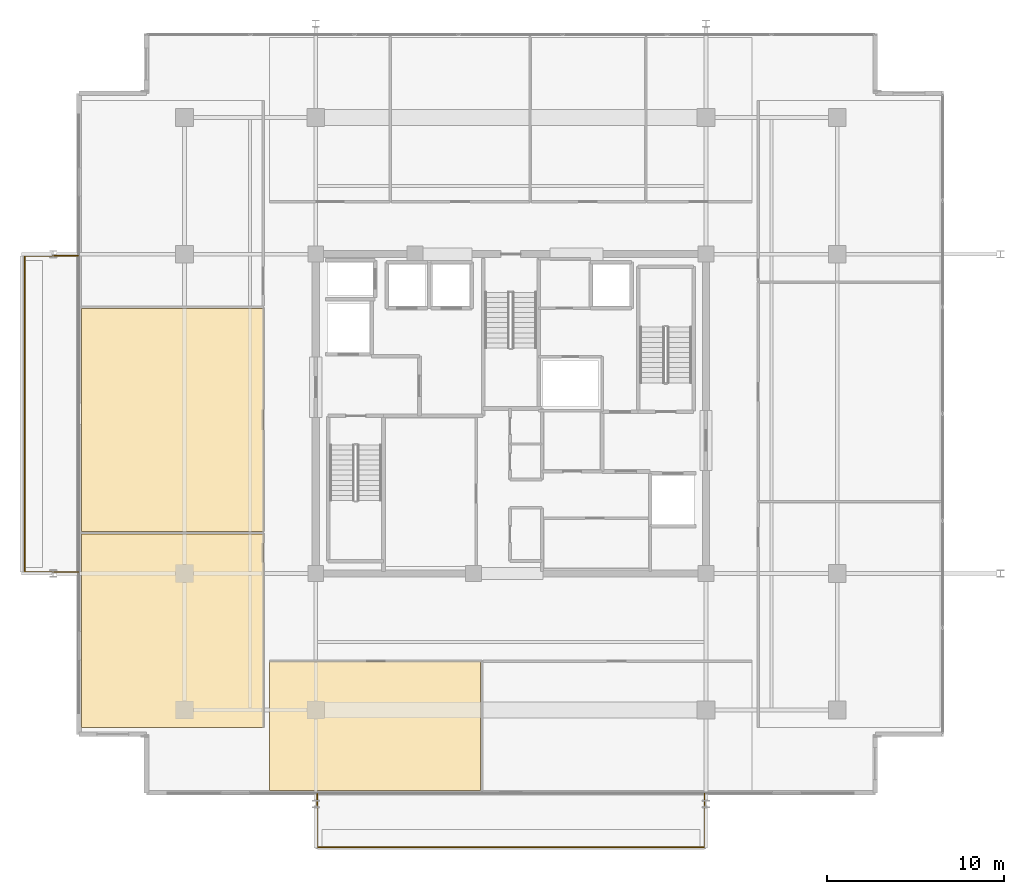
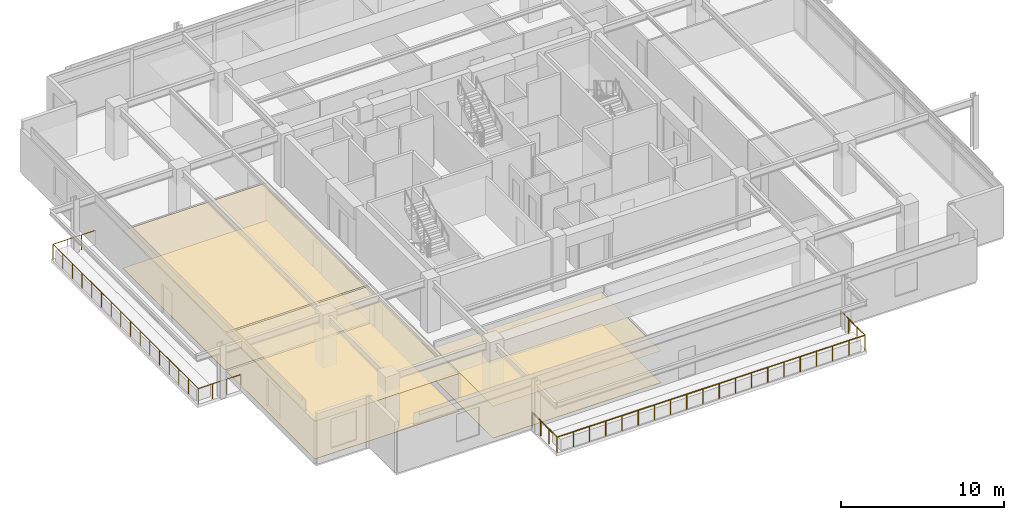
# One storey, part 18 of 21: 6 coverings, 2 railings.
"""IFC4 building model written with IfcOpenShell, lengths in metres."""

from ifc_helpers import new_model, si_unit, direction, frame, origin, origin_2d, place, context, subcontext, project, spatial, polyline, circle, outline, extrude, material, layer, layer_set, type_object, element, save


model = new_model("IFC4")

# Units and contexts
model_context = context("Model", 3, precision=1e-05, world=origin(), true_north=direction((0.0, 1.0)))
body_context = subcontext(model_context, "Body", "Model", "MODEL_VIEW")
ifc_project = project(units=[si_unit("LENGTHUNIT", "METRE"), si_unit("AREAUNIT", "SQUARE_METRE"), si_unit("VOLUMEUNIT", "CUBIC_METRE"), si_unit("PLANEANGLEUNIT", "RADIAN"), si_unit("MASSUNIT", "GRAM", prefix="KILO")], contexts=[model_context])

# Site, building, storey
site_placement = place(None, origin())
site = spatial("IfcSite", under=ifc_project, at=site_placement, CompositionType="ELEMENT")
building_placement = place(site_placement, origin())
building = spatial("IfcBuilding", under=site, at=building_placement, Name="Kovane Verandah Tower", CompositionType="ELEMENT")
storey_placement = place(building_placement, frame((0.0, 0.0, 310.800048828125)))
storey = spatial("IfcBuildingStorey", under=building, at=storey_placement, Name="L72", CompositionType="ELEMENT", Elevation=310.800048828125)

# Coverings
ifc_material_1 = material(Name="Perforated Acoustic Mineral-Fibre Ceiling Tile", Category="gypsum")
ifc_layer_1 = layer(ifc_material_1, 0.02490234375)
ifc_layer_set_1 = layer_set([ifc_layer_1], Name="Perforated Acoustic Mineral-Fibre Ceiling Tile")
covering_type_1 = type_object("IfcCoveringType", Name="CV-CEIL-25", PredefinedType="CEILING", material=ifc_layer_set_1)
covering_1_placement = place(storey_placement, frame((0.0, 0.0, 2.389892578125)))
element("IfcCovering", 1, at=covering_1_placement, inside=storey, type_object=covering_type_1, Name="L72 Collaboration Hub S1 Acoustic Ceiling", PredefinedType="CEILING", context=body_context, shape_type="SweptSolid", body=[
    extrude(outline(polyline([(26.39990234375, 6.27783203125), (38.298095703125, 6.27783203125), (38.298095703125, 13.550048828125), (26.39990234375, 13.550048828125), (26.39990234375, 6.27783203125)])), origin(), (0.0, 0.0, 1.0), 0.025146484375),
])
covering_2_placement = place(storey_placement, frame((0.0, 0.0, 2.824951171875)))
element("IfcCovering", 2, at=covering_2_placement, inside=storey, type_object=covering_type_1, Name="L72 Open Plan Office W1 Acoustic Ceiling", PredefinedType="CEILING", context=body_context, shape_type="SweptSolid", body=[
    extrude(outline(polyline([(15.8056640625, 9.827880859375), (26.050048828125, 9.827880859375), (26.050048828125, 20.714599609375), (15.8056640625, 20.714599609375), (15.8056640625, 9.827880859375)])), origin(), (0.0, 0.0, 1.0), 0.02490234375),
])
covering_3_placement = place(storey_placement, frame((0.0, 0.0, 2.824951171875)))
element("IfcCovering", 3, at=covering_3_placement, inside=storey, type_object=covering_type_1, Name="L72 Executive Office W2 Acoustic Ceiling", PredefinedType="CEILING", context=body_context, shape_type="SweptSolid", body=[
    extrude(outline(polyline([(15.8056640625, 20.8544921875), (26.050048828125, 20.8544921875), (26.050048828125, 33.4384765625), (15.8056640625, 33.4384765625), (15.8056640625, 20.8544921875)])), origin(), (0.0, 0.0, 1.0), 0.02490234375),
])
ifc_material_2 = material(Name="Polished Terrazzo and Raised-Access Carpet Tile Finish", Category="concrete")
ifc_layer_2 = layer(ifc_material_2, 0.030029296875)
ifc_layer_set_2 = layer_set([ifc_layer_2], Name="Polished Terrazzo and Raised-Access Carpet Tile Finish")
covering_type_2 = type_object("IfcCoveringType", Name="CV-FLOR-30", PredefinedType="FLOORING", material=ifc_layer_set_2)
covering_4_placement = place(storey_placement, origin())
element("IfcCovering", 4, at=covering_4_placement, inside=storey, type_object=covering_type_2, Name="L72 Collaboration Hub S1 Floor Finish", PredefinedType="FLOORING", context=body_context, shape_type="SweptSolid", body=[
    extrude(outline(polyline([(26.39990234375, 6.27783203125), (38.298095703125, 6.27783203125), (38.298095703125, 13.550048828125), (26.39990234375, 13.550048828125), (26.39990234375, 6.27783203125)])), origin(), (0.0, 0.0, 1.0), 0.030029296875),
])
covering_5_placement = place(storey_placement, origin())
element("IfcCovering", 5, at=covering_5_placement, inside=storey, type_object=covering_type_2, Name="L72 Open Plan Office W1 Floor Finish", PredefinedType="FLOORING", context=body_context, shape_type="SweptSolid", body=[
    extrude(outline(polyline([(15.8056640625, 9.827880859375), (26.050048828125, 9.827880859375), (26.050048828125, 20.714599609375), (15.8056640625, 20.714599609375), (15.8056640625, 9.827880859375)])), origin(), (0.0, 0.0, 1.0), 0.030029296875),
])
covering_6_placement = place(storey_placement, origin())
element("IfcCovering", 6, at=covering_6_placement, inside=storey, type_object=covering_type_2, Name="L72 Executive Office W2 Floor Finish", PredefinedType="FLOORING", context=body_context, shape_type="SweptSolid", body=[
    extrude(outline(polyline([(15.8056640625, 20.8544921875), (26.050048828125, 20.8544921875), (26.050048828125, 33.4384765625), (15.8056640625, 33.4384765625), (15.8056640625, 20.8544921875)])), origin(), (0.0, 0.0, 1.0), 0.030029296875),
])

# Railings
ifc_material_3 = material(Name="Laminated Glass and Pale-Champagne Stainless Balustrade", Category="glass")
railing_type = type_object("IfcRailingType", Name="RL-BAL-1150", PredefinedType="BALUSTRADE", material=ifc_material_3)
railing_1_placement = place(storey_placement, frame((29.080078125, 6.077880859375, 0.0)))
element("IfcRailing", 7, at=railing_1_placement, inside=storey, type_object=railing_type, Name="L72 S Verandah Glass Balustrade", PredefinedType="BALUSTRADE", context=body_context, shape_type="SweptSolid", body=[
    extrude(circle(Radius=0.02392578125, at=origin_2d()), frame((0.0, 0.0, 1.1259765625), z_axis=(0.0, -1.0, 0.0), x_axis=(1.0, 0.0, 0.0)), (0.0, 0.0, 1.0), 3.02001953125),
    extrude(circle(Radius=0.02392578125, at=origin_2d()), frame((0.0, -3.02001953125, 1.1259765625), z_axis=(1.0, 0.0, 0.0), x_axis=(0.0, 1.0, 0.0)), (0.0, 0.0, 1.0), 21.83984375),
    extrude(circle(Radius=0.02392578125, at=origin_2d()), frame((21.83984375, -3.02001953125, 1.1259765625), z_axis=(0.0, 1.0, 0.0), x_axis=(-1.0, 0.0, 0.0)), (0.0, 0.0, 1.0), 3.02001953125),
    extrude(circle(Radius=0.02099609375, at=origin_2d()), origin(), (0.0, 0.0, 1.0), 1.101806640625),
    extrude(circle(Radius=0.02099609375, at=origin_2d()), frame((0.0, -1.006591796875, 0.0)), (0.0, 0.0, 1.0), 1.101806640625),
    extrude(circle(Radius=0.02099609375, at=origin_2d()), frame((0.0, -2.013427734375, 0.0)), (0.0, 0.0, 1.0), 1.101806640625),
    extrude(circle(Radius=0.02099609375, at=origin_2d()), frame((0.0, -3.02001953125, 0.0)), (0.0, 0.0, 1.0), 1.101806640625),
    extrude(circle(Radius=0.02099609375, at=origin_2d()), frame((1.1494140625, -3.02001953125, 0.0)), (0.0, 0.0, 1.0), 1.101806640625),
    extrude(circle(Radius=0.02099609375, at=origin_2d()), frame((2.298828125, -3.02001953125, 0.0)), (0.0, 0.0, 1.0), 1.101806640625),
    extrude(circle(Radius=0.02099609375, at=origin_2d()), frame((3.448486328125, -3.02001953125, 0.0)), (0.0, 0.0, 1.0), 1.101806640625),
    extrude(circle(Radius=0.02099609375, at=origin_2d()), frame((4.597900390625, -3.02001953125, 0.0)), (0.0, 0.0, 1.0), 1.101806640625),
    extrude(circle(Radius=0.02099609375, at=origin_2d()), frame((5.747314453125, -3.02001953125, 0.0)), (0.0, 0.0, 1.0), 1.101806640625),
    extrude(circle(Radius=0.02099609375, at=origin_2d()), frame((6.896728515625, -3.02001953125, 0.0)), (0.0, 0.0, 1.0), 1.101806640625),
    extrude(circle(Radius=0.02099609375, at=origin_2d()), frame((8.046142578125, -3.02001953125, 0.0)), (0.0, 0.0, 1.0), 1.101806640625),
    extrude(circle(Radius=0.02099609375, at=origin_2d()), frame((9.19580078125, -3.02001953125, 0.0)), (0.0, 0.0, 1.0), 1.101806640625),
    extrude(circle(Radius=0.02099609375, at=origin_2d()), frame((10.34521484375, -3.02001953125, 0.0)), (0.0, 0.0, 1.0), 1.101806640625),
    extrude(circle(Radius=0.02099609375, at=origin_2d()), frame((11.49462890625, -3.02001953125, 0.0)), (0.0, 0.0, 1.0), 1.101806640625),
    extrude(circle(Radius=0.02099609375, at=origin_2d()), frame((12.64404296875, -3.02001953125, 0.0)), (0.0, 0.0, 1.0), 1.101806640625),
    extrude(circle(Radius=0.02099609375, at=origin_2d()), frame((13.793701171875, -3.02001953125, 0.0)), (0.0, 0.0, 1.0), 1.101806640625),
    extrude(circle(Radius=0.02099609375, at=origin_2d()), frame((14.943115234375, -3.02001953125, 0.0)), (0.0, 0.0, 1.0), 1.101806640625),
    extrude(circle(Radius=0.02099609375, at=origin_2d()), frame((16.092529296875, -3.02001953125, 0.0)), (0.0, 0.0, 1.0), 1.101806640625),
    extrude(circle(Radius=0.02099609375, at=origin_2d()), frame((17.241943359375, -3.02001953125, 0.0)), (0.0, 0.0, 1.0), 1.101806640625),
    extrude(circle(Radius=0.02099609375, at=origin_2d()), frame((18.391357421875, -3.02001953125, 0.0)), (0.0, 0.0, 1.0), 1.101806640625),
    extrude(circle(Radius=0.02099609375, at=origin_2d()), frame((19.541015625, -3.02001953125, 0.0)), (0.0, 0.0, 1.0), 1.101806640625),
    extrude(circle(Radius=0.02099609375, at=origin_2d()), frame((20.6904296875, -3.02001953125, 0.0)), (0.0, 0.0, 1.0), 1.101806640625),
    extrude(circle(Radius=0.02099609375, at=origin_2d()), frame((21.83984375, -3.02001953125, 0.0)), (0.0, 0.0, 1.0), 1.101806640625),
    extrude(circle(Radius=0.02099609375, at=origin_2d()), frame((21.83984375, -2.013427734375, 0.0)), (0.0, 0.0, 1.0), 1.101806640625),
    extrude(circle(Radius=0.02099609375, at=origin_2d()), frame((21.83984375, -1.006591796875, 0.0)), (0.0, 0.0, 1.0), 1.101806640625),
    extrude(circle(Radius=0.02099609375, at=origin_2d()), frame((21.83984375, 0.0, 0.0)), (0.0, 0.0, 1.0), 1.101806640625),
])
railing_2_placement = place(storey_placement, frame((15.605712890625, 18.580078125, 0.0)))
element("IfcRailing", 8, at=railing_2_placement, inside=storey, type_object=railing_type, Name="L72 W Verandah Glass Balustrade", PredefinedType="BALUSTRADE", context=body_context, shape_type="SweptSolid", body=[
    extrude(circle(Radius=0.02392578125, at=origin_2d()), frame((0.0, 0.0, 1.1259765625), z_axis=(-1.0, 0.0, 0.0), x_axis=(0.0, -1.0, 0.0)), (0.0, 0.0, 1.0), 3.02001953125),
    extrude(circle(Radius=0.02392578125, at=origin_2d()), frame((-3.02001953125, 0.0, 1.1259765625), z_axis=(0.0, 1.0, 0.0), x_axis=(-1.0, 0.0, 0.0)), (0.0, 0.0, 1.0), 17.83984375),
    extrude(circle(Radius=0.02392578125, at=origin_2d()), frame((-3.02001953125, 17.83984375, 1.1259765625), z_axis=(1.0, 0.0, 0.0), x_axis=(0.0, 1.0, 0.0)), (0.0, 0.0, 1.0), 3.02001953125),
    extrude(circle(Radius=0.02099609375, at=origin_2d()), origin(), (0.0, 0.0, 1.0), 1.101806640625),
    extrude(circle(Radius=0.02099609375, at=origin_2d()), frame((-1.006591796875, 0.0, 0.0)), (0.0, 0.0, 1.0), 1.101806640625),
    extrude(circle(Radius=0.02099609375, at=origin_2d()), frame((-2.013427734375, 0.0, 0.0)), (0.0, 0.0, 1.0), 1.101806640625),
    extrude(circle(Radius=0.02099609375, at=origin_2d()), frame((-3.02001953125, 0.0, 0.0)), (0.0, 0.0, 1.0), 1.101806640625),
    extrude(circle(Radius=0.02099609375, at=origin_2d()), frame((-3.02001953125, 1.189208984375, 0.0)), (0.0, 0.0, 1.0), 1.101806640625),
    extrude(circle(Radius=0.02099609375, at=origin_2d()), frame((-3.02001953125, 2.378662109375, 0.0)), (0.0, 0.0, 1.0), 1.101806640625),
    extrude(circle(Radius=0.02099609375, at=origin_2d()), frame((-3.02001953125, 3.56787109375, 0.0)), (0.0, 0.0, 1.0), 1.101806640625),
    extrude(circle(Radius=0.02099609375, at=origin_2d()), frame((-3.02001953125, 4.75732421875, 0.0)), (0.0, 0.0, 1.0), 1.101806640625),
    extrude(circle(Radius=0.02099609375, at=origin_2d()), frame((-3.02001953125, 5.946533203125, 0.0)), (0.0, 0.0, 1.0), 1.101806640625),
    extrude(circle(Radius=0.02099609375, at=origin_2d()), frame((-3.02001953125, 7.135986328125, 0.0)), (0.0, 0.0, 1.0), 1.101806640625),
    extrude(circle(Radius=0.02099609375, at=origin_2d()), frame((-3.02001953125, 8.3251953125, 0.0)), (0.0, 0.0, 1.0), 1.101806640625),
    extrude(circle(Radius=0.02099609375, at=origin_2d()), frame((-3.02001953125, 9.5146484375, 0.0)), (0.0, 0.0, 1.0), 1.101806640625),
    extrude(circle(Radius=0.02099609375, at=origin_2d()), frame((-3.02001953125, 10.703857421875, 0.0)), (0.0, 0.0, 1.0), 1.101806640625),
    extrude(circle(Radius=0.02099609375, at=origin_2d()), frame((-3.02001953125, 11.893310546875, 0.0)), (0.0, 0.0, 1.0), 1.101806640625),
    extrude(circle(Radius=0.02099609375, at=origin_2d()), frame((-3.02001953125, 13.08251953125, 0.0)), (0.0, 0.0, 1.0), 1.101806640625),
    extrude(circle(Radius=0.02099609375, at=origin_2d()), frame((-3.02001953125, 14.27197265625, 0.0)), (0.0, 0.0, 1.0), 1.101806640625),
    extrude(circle(Radius=0.02099609375, at=origin_2d()), frame((-3.02001953125, 15.461181640625, 0.0)), (0.0, 0.0, 1.0), 1.101806640625),
    extrude(circle(Radius=0.02099609375, at=origin_2d()), frame((-3.02001953125, 16.650634765625, 0.0)), (0.0, 0.0, 1.0), 1.101806640625),
    extrude(circle(Radius=0.02099609375, at=origin_2d()), frame((-3.02001953125, 17.83984375, 0.0)), (0.0, 0.0, 1.0), 1.101806640625),
    extrude(circle(Radius=0.02099609375, at=origin_2d()), frame((-2.013427734375, 17.83984375, 0.0)), (0.0, 0.0, 1.0), 1.101806640625),
    extrude(circle(Radius=0.02099609375, at=origin_2d()), frame((-1.006591796875, 17.83984375, 0.0)), (0.0, 0.0, 1.0), 1.101806640625),
    extrude(circle(Radius=0.02099609375, at=origin_2d()), frame((0.0, 17.83984375, 0.0)), (0.0, 0.0, 1.0), 1.101806640625),
])

save(model, "model.ifc")
